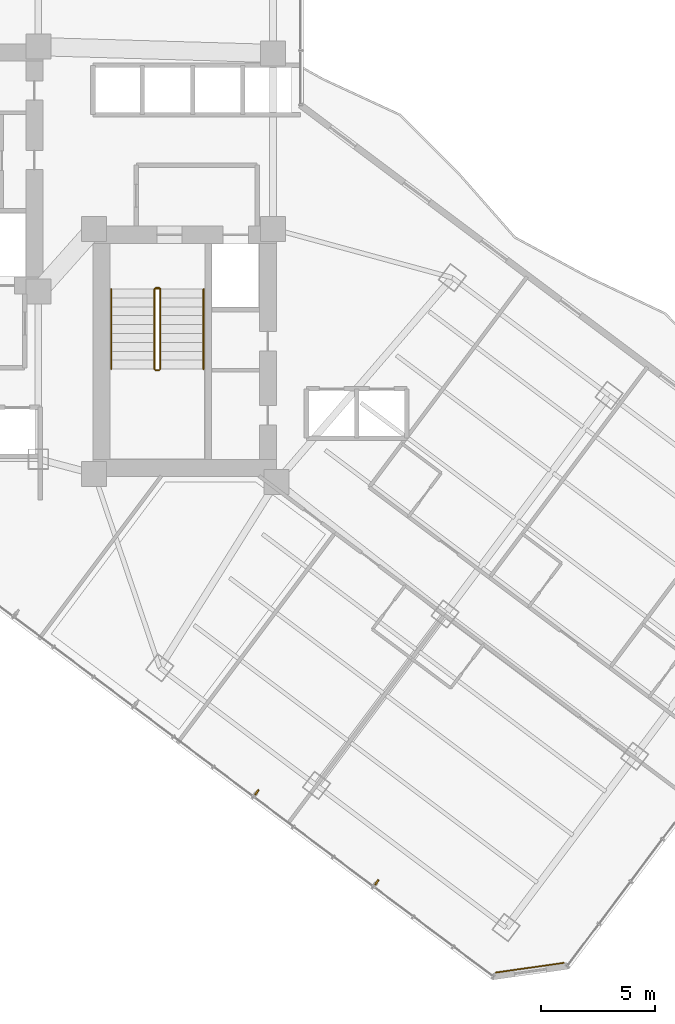
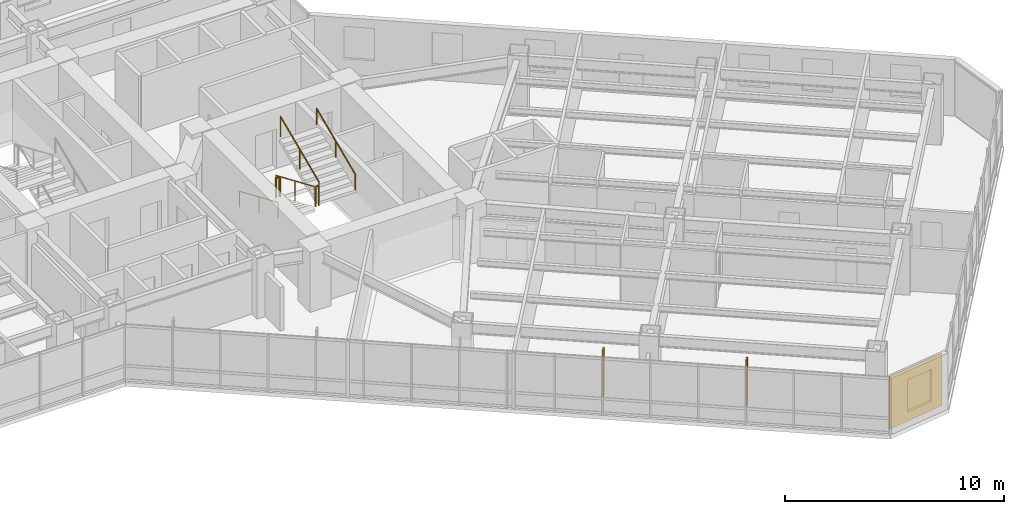
# One storey, part 33 of 36: 7 railings, 2 shading devices, 1 covering.
"""IFC4 building model written with IfcOpenShell, lengths in metres."""

from ifc_helpers import new_model, si_unit, direction, frame, origin, origin_2d, place, context, subcontext, project, spatial, rectangle, circle, extrude, material, layer, layer_set, type_object, element, save


model = new_model("IFC4")

# Units and contexts
model_context = context("Model", 3, precision=1e-05, world=origin(), true_north=direction((0.0, 1.0)))
body_context = subcontext(model_context, "Body", "Model", "MODEL_VIEW")
ifc_project = project(units=[si_unit("LENGTHUNIT", "METRE"), si_unit("AREAUNIT", "SQUARE_METRE"), si_unit("VOLUMEUNIT", "CUBIC_METRE"), si_unit("PLANEANGLEUNIT", "RADIAN"), si_unit("MASSUNIT", "GRAM", prefix="KILO")], contexts=[model_context])

# Site, building, storey
site_placement = place(None, origin())
site = spatial("IfcSite", under=ifc_project, at=site_placement, CompositionType="ELEMENT")
building_placement = place(site_placement, origin())
building = spatial("IfcBuilding", under=site, at=building_placement, Name="Hatsunagi Terrace Concourse", CompositionType="ELEMENT")
storey_placement = place(building_placement, frame((0.0, 0.0, 84.64990234375)))
storey = spatial("IfcBuildingStorey", under=building, at=storey_placement, Name="L22", CompositionType="ELEMENT", Elevation=84.64990234375)

# Railings
ifc_material_1 = material(Name="Stainless steel", Category="steel")
ifc_layer_1 = layer(ifc_material_1, 0.044921875)
ifc_layer_set_1 = layer_set([ifc_layer_1], Name="StairPitchHandrail_Tower2000")
railing_type_1 = type_object("IfcRailingType", Name="StairPitchHandrail_Tower2000", PredefinedType="HANDRAIL", material=ifc_layer_set_1)
railing_1_placement = place(storey_placement, frame((36.550048828125, 32.659912109375, 0.16748046875)))
element("IfcRailing", 1, at=railing_1_placement, inside=storey, type_object=railing_type_1, Name="L22 ST-B stair handrail 1", PredefinedType="HANDRAIL", context=body_context, shape_type="SweptSolid", body=[
    extrude(circle(Radius=0.02392578125, at=origin_2d()), frame((0.0, 0.0, 0.8759765625), z_axis=(0.0, -0.918834009242, 0.394644223904), x_axis=(1.0, 0.0, 0.0)), (0.0, 0.0, 1.0), 3.820068359375),
    extrude(circle(Radius=0.02099609375, at=origin_2d()), origin(), (0.0, 0.0, 1.0), 0.851806640625),
    extrude(circle(Radius=0.02099609375, at=origin_2d()), frame((0.0, -1.7548828125, 0.75390625)), (0.0, 0.0, 1.0), 0.851806640625),
    extrude(circle(Radius=0.02099609375, at=origin_2d()), frame((0.0, -3.510009765625, 1.507568359375)), (0.0, 0.0, 1.0), 0.851806640625),
])
railing_2_placement = place(storey_placement, frame((40.60009765625, 29.14990234375, 1.842529296875)))
element("IfcRailing", 2, at=railing_2_placement, inside=storey, type_object=railing_type_1, Name="L22 ST-B stair handrail 2", PredefinedType="HANDRAIL", context=body_context, shape_type="SweptSolid", body=[
    extrude(circle(Radius=0.02392578125, at=origin_2d()), frame((0.0, 0.0, 0.8759765625), z_axis=(0.0, 0.918834009242, 0.394644223904), x_axis=(-1.0, 0.0, 0.0)), (0.0, 0.0, 1.0), 3.820068359375),
    extrude(circle(Radius=0.02099609375, at=origin_2d()), origin(), (0.0, 0.0, 1.0), 0.851806640625),
    extrude(circle(Radius=0.02099609375, at=origin_2d()), frame((0.0, 1.7548828125, 0.75390625)), (0.0, 0.0, 1.0), 0.851806640625),
    extrude(circle(Radius=0.02099609375, at=origin_2d()), frame((0.0, 3.510009765625, 1.507568359375)), (0.0, 0.0, 1.0), 0.851806640625),
])
ifc_material_2 = material(Name="Stainless steel", Category="steel")
ifc_layer_2 = layer(ifc_material_2, 0.06005859375)
ifc_layer_set_2 = layer_set([ifc_layer_2], Name="StairWellGuard_Tower2000")
railing_type_2 = type_object("IfcRailingType", Name="StairWellGuard_Tower2000", PredefinedType="BALUSTRADE", material=ifc_layer_set_2)
railing_3_placement = place(storey_placement, frame((38.449951171875, 32.659912109375, 0.16748046875)))
element("IfcRailing", 3, at=railing_3_placement, inside=storey, type_object=railing_type_2, Name="L22 ST-B stair guard 1", PredefinedType="BALUSTRADE", context=body_context, shape_type="SweptSolid", body=[
    extrude(circle(Radius=0.02392578125, at=origin_2d()), frame((0.0, 0.0, 1.09619140625), z_axis=(0.0, -0.918834009242, 0.394644223904), x_axis=(1.0, 0.0, 0.0)), (0.0, 0.0, 1.0), 3.820068359375),
    extrude(circle(Radius=0.02099609375, at=origin_2d()), origin(), (0.0, 0.0, 1.0), 1.072021484375),
    extrude(circle(Radius=0.02099609375, at=origin_2d()), frame((0.0, -1.7548828125, 0.75390625)), (0.0, 0.0, 1.0), 1.072021484375),
    extrude(circle(Radius=0.02099609375, at=origin_2d()), frame((0.0, -3.510009765625, 1.507568359375)), (0.0, 0.0, 1.0), 1.072021484375),
])
railing_4_placement = place(storey_placement, frame((38.5, 29.10009765625, 1.675048828125)))
element("IfcRailing", 4, at=railing_4_placement, inside=storey, type_object=railing_type_2, Name="L22 ST-B stair guard 2", PredefinedType="BALUSTRADE", context=body_context, shape_type="SweptSolid", body=[
    extrude(circle(Radius=0.02392578125, at=origin_2d()), frame((0.0, 0.0, 1.09619140625), z_axis=(1.0, 0.0, 0.0), x_axis=(0.0, 1.0, 0.0)), (0.0, 0.0, 1.0), 0.14990234375),
    extrude(circle(Radius=0.02099609375, at=origin_2d()), origin(), (0.0, 0.0, 1.0), 1.072021484375),
    extrude(circle(Radius=0.02099609375, at=origin_2d()), frame((0.14990234375, 0.0, 0.0)), (0.0, 0.0, 1.0), 1.072021484375),
])
railing_5_placement = place(storey_placement, frame((38.699951171875, 29.14990234375, 1.842529296875)))
element("IfcRailing", 5, at=railing_5_placement, inside=storey, type_object=railing_type_2, Name="L22 ST-B stair guard 3", PredefinedType="BALUSTRADE", context=body_context, shape_type="SweptSolid", body=[
    extrude(circle(Radius=0.02392578125, at=origin_2d()), frame((0.0, 0.0, 1.09619140625), z_axis=(0.0, 0.918834009242, 0.394644223904), x_axis=(-1.0, 0.0, 0.0)), (0.0, 0.0, 1.0), 3.820068359375),
    extrude(circle(Radius=0.02099609375, at=origin_2d()), origin(), (0.0, 0.0, 1.0), 1.072021484375),
    extrude(circle(Radius=0.02099609375, at=origin_2d()), frame((0.0, 1.7548828125, 0.75390625)), (0.0, 0.0, 1.0), 1.072021484375),
    extrude(circle(Radius=0.02099609375, at=origin_2d()), frame((0.0, 3.510009765625, 1.507568359375)), (0.0, 0.0, 1.0), 1.072021484375),
])
railing_6_placement = place(storey_placement, frame((38.5, 32.7099609375, 0.0)))
element("IfcRailing", 6, at=railing_6_placement, inside=storey, type_object=railing_type_2, Name="L22 ST-B stair guard 4", PredefinedType="BALUSTRADE", context=body_context, shape_type="SweptSolid", body=[
    extrude(circle(Radius=0.02392578125, at=origin_2d()), frame((0.0, 0.0, 1.09619140625), z_axis=(1.0, 0.0, 0.0), x_axis=(0.0, 1.0, 0.0)), (0.0, 0.0, 1.0), 0.14990234375),
    extrude(circle(Radius=0.02099609375, at=origin_2d()), origin(), (0.0, 0.0, 1.0), 1.072021484375),
    extrude(circle(Radius=0.02099609375, at=origin_2d()), frame((0.14990234375, 0.0, 0.0)), (0.0, 0.0, 1.0), 1.072021484375),
])
ifc_material_3 = material(Name="Stainless Steel SUS316 Post-and-Rail Guard", Category="steel")
ifc_layer_3 = layer(ifc_material_3, 0.080078125)
ifc_layer_set_3 = layer_set([ifc_layer_3], Name="TerracePlantedGuardRail_1200")
railing_type_3 = type_object("IfcRailingType", Name="TerracePlantedGuardRail_1200", PredefinedType="GUARDRAIL", material=ifc_layer_set_3)
railing_7_placement = place(storey_placement, frame((38.449951171875, 32.679931640625, 0.0)))
element("IfcRailing", 7, at=railing_7_placement, inside=storey, type_object=railing_type_3, Name="Stair ST-B Well Closure Guard L22", PredefinedType="GUARDRAIL", context=body_context, shape_type="SweptSolid", body=[
    extrude(circle(Radius=0.02392578125, at=origin_2d()), frame((0.0, 0.0, 1.09619140625), z_axis=(1.0, 0.0, 0.0), x_axis=(0.0, 1.0, 0.0)), (0.0, 0.0, 1.0), 0.25),
    extrude(circle(Radius=0.02099609375, at=origin_2d()), origin(), (0.0, 0.0, 1.0), 1.072021484375),
    extrude(circle(Radius=0.02099609375, at=origin_2d()), frame((0.25, 0.0, 0.0)), (0.0, 0.0, 1.0), 1.072021484375),
])

# Shading devices
ifc_material_4 = material(Name="Extruded Unglazed Terracotta Baguette", Category="masonry")
shading_device_type = type_object("IfcShadingDeviceType", Name="TerracottaFinScreen_260x70", PredefinedType="USERDEFINED", material=ifc_material_4)
for number, where, z_axis, x_axis, name in (
    (8, (48.205078125, 6.634033203125, 0.85009765625), (0.0, 0.0, 1.0), (-0.800003116929, 0.599995844072, 0.0), "Terracotta Baguette Fin Screen SCR-01"),
    (9, (42.94091796875, 10.58203125, 0.85009765625), (0.0, 0.0, 1.0), (-0.800003116929, 0.599995844072, 0.0), "Terracotta Baguette Fin Screen SCR-01"),
):
    element("IfcShadingDevice", number, at=place(storey_placement, frame(where, z_axis=z_axis, x_axis=x_axis)), inside=storey, type_object=shading_device_type, Name=name, ObjectType="SUNSHADE", PredefinedType="USERDEFINED", context=body_context, shape_type="SweptSolid", body=[
        extrude(rectangle(XDim=0.070068359375, YDim=0.260009765625, at=origin_2d()), origin(), (0.0, 0.0, 1.0), 2.60009765625),
    ])

# Covering
ifc_material_5 = material(Name="Unglazed Warm Terracotta Rainscreen Tile", Category="masonry")
ifc_layer_4 = layer(ifc_material_5, 0.044921875)
ifc_layer_set_4 = layer_set([ifc_layer_4], Name="TerracottaRainscreenCladding_45")
covering_type = type_object("IfcCoveringType", Name="TerracottaRainscreenCladding_45", PredefinedType="CLADDING", material=ifc_layer_set_4)
covering_placement = place(storey_placement, frame((54.91796875, 2.87890625, 0.10009765625), z_axis=(0.0, 0.0, 1.0), x_axis=(-0.989973920543, -0.141250262458, 0.0)))
element("IfcCovering", 10, at=covering_placement, inside=storey, type_object=covering_type, Name="Terracotta Rainscreen Cladding L22-04", PredefinedType="CLADDING", context=body_context, shape_type="SweptSolid", body=[
    extrude(rectangle(XDim=3.0380859375, YDim=0.044921875, at=origin_2d()), origin(), (0.0, 0.0, 1.0), 2.929931640625),
])

save(model, "model.ifc")
